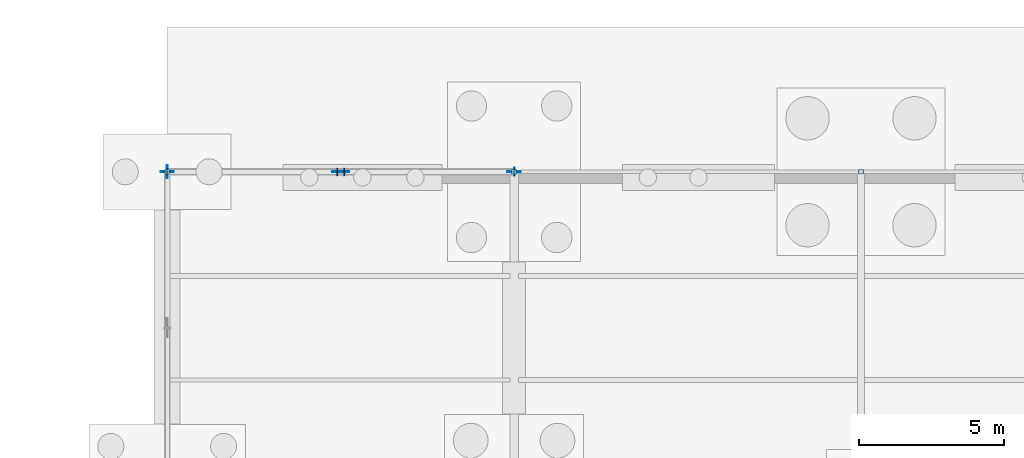
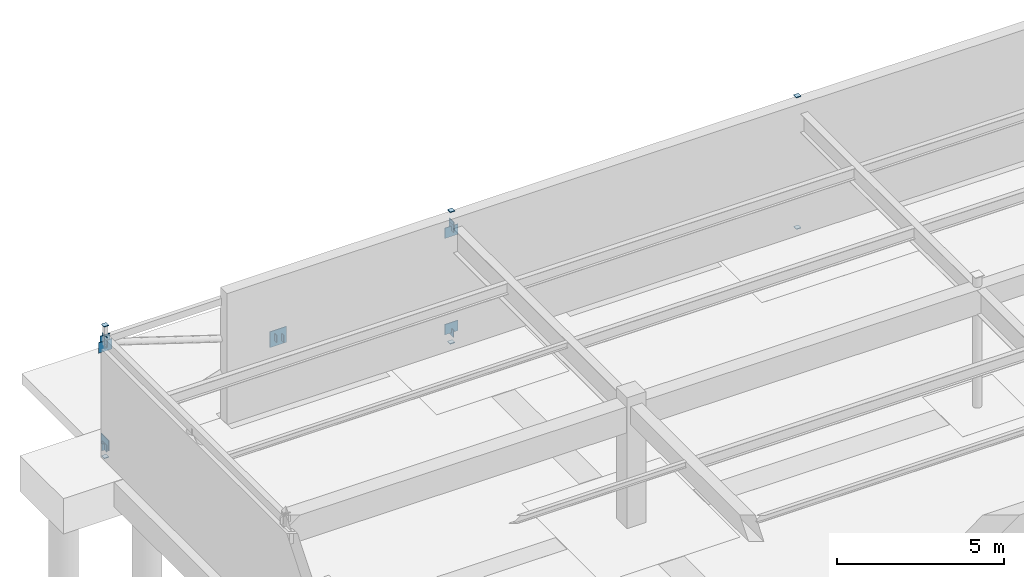
# One storey, part 112 of 136: 21 plates.
"""IFC4 building model written with IfcOpenShell, lengths in metres."""

import ifcopenshell
import ifcopenshell.guid

model = None  # the IFC model being written
_history = None  # IfcOwnerHistory: only IFC2X3 demands one
_inside = {}  # id of a spatial element -> (the spatial element, [elements in it])
_under = {}  # id of a project, library or spatial element -> (it, [spatial elements below it])
_declared = {}  # id of a project -> (the project, [libraries it declares])
_typed = {}  # id of a type object -> (the type object, [elements of that type])
_made_of = {}  # id of a material, layer set ... -> (it, [elements and type objects made of it])


def new_model(schema):
    """Start an empty IFC model of exactly this schema.

    Asked for "IFC4X3", IfcOpenShell would pick the latest addendum, in which some entities
    have other attributes; the version numbers below select the first issue.
    IFC2X3 requires an IfcOwnerHistory on every rooted entity: one is made here for all.
    """
    global model, _history
    if schema == "IFC4X3":
        model = ifcopenshell.file(schema_version=(4, 3, 0, 0))
    else:
        model = ifcopenshell.file(schema=schema)
    _inside.clear()
    _under.clear()
    _declared.clear()
    _typed.clear()
    _made_of.clear()
    _history = None
    if model.schema == "IFC2X3":
        org = make("IfcOrganization", Name="unknown")
        user = make(
            "IfcPersonAndOrganization",
            ThePerson=make("IfcPerson", FamilyName="unknown"),
            TheOrganization=org,
        )
        app = make(
            "IfcApplication",
            ApplicationDeveloper=org,
            Version="unknown",
            ApplicationFullName="unknown",
            ApplicationIdentifier="unknown",
        )
        _history = make(
            "IfcOwnerHistory",
            OwningUser=user,
            OwningApplication=app,
            ChangeAction="ADDED",
            CreationDate=0,
        )
    return model


def make(cls, **values):
    """One entity of the class cls with the attributes given. An attribute that is None is left unset."""
    return model.create_entity(
        cls, **{name: value for name, value in values.items() if value is not None}
    )


def rooted(cls, **values):
    """An entity with a GlobalId (a new one), such as an element, a storey or a relation."""
    return make(cls, GlobalId=ifcopenshell.guid.new(), OwnerHistory=_history, **values)


def si_unit(unit_type, name, prefix=None):
    """IfcSIUnit, for example si_unit("LENGTHUNIT", "METRE", prefix="MILLI")."""
    return make("IfcSIUnit", UnitType=unit_type, Prefix=prefix, Name=name)


def assignment(units):
    """IfcUnitAssignment: the units of a project."""
    return None if units is None else make("IfcUnitAssignment", Units=units)


def point(xyz):
    """IfcCartesianPoint."""
    return None if xyz is None else make("IfcCartesianPoint", Coordinates=xyz)


def direction(xyz):
    """IfcDirection."""
    return None if xyz is None else make("IfcDirection", DirectionRatios=xyz)


def frame(location, z_axis=None, x_axis=None):
    """IfcAxis2Placement3D, a coordinate frame: its origin and axes. An axis left out is left unset."""
    return make(
        "IfcAxis2Placement3D",
        Location=point(location),
        Axis=direction(z_axis),
        RefDirection=direction(x_axis),
    )


def frame_2d(location, x_axis=None):
    """IfcAxis2Placement2D, a coordinate frame in the plane: its origin and x axis."""
    return make(
        "IfcAxis2Placement2D", Location=point(location), RefDirection=direction(x_axis)
    )


def origin():
    """The frame at (0, 0, 0) with its axes left unset."""
    return frame((0.0, 0.0, 0.0))


def origin_2d():
    """The frame at (0, 0) in the plane with its x axis left unset."""
    return frame_2d((0.0, 0.0))


def place(relative_to, where):
    """IfcLocalPlacement: puts the frame where relative to a parent placement (None: the world)."""
    return make(
        "IfcLocalPlacement", PlacementRelTo=relative_to, RelativePlacement=where
    )


def context(
    kind, dimensions, precision=None, world=None, true_north=None, identifier=None
):
    """IfcGeometricRepresentationContext, for example the 3D "Model" context."""
    return make(
        "IfcGeometricRepresentationContext",
        ContextIdentifier=identifier,
        ContextType=kind,
        CoordinateSpaceDimension=dimensions,
        Precision=precision,
        WorldCoordinateSystem=world,
        TrueNorth=true_north,
    )


def subcontext(parent, identifier, kind, view, scale=None):
    """IfcGeometricRepresentationSubContext, for example "Body" below "Model"."""
    return make(
        "IfcGeometricRepresentationSubContext",
        ContextIdentifier=identifier,
        ContextType=kind,
        ParentContext=parent,
        TargetScale=scale,
        TargetView=view,
    )


def project(units=None, contexts=None):
    """IfcProject with its units and contexts."""
    return rooted(
        "IfcProject",
        Name="project",
        RepresentationContexts=contexts,
        UnitsInContext=assignment(units),
    )


def spatial(cls, under=None, at=None, **own):
    """A site, building, storey or space (cls), placed at a placement, below another one or the project."""
    s = rooted(cls, ObjectPlacement=at, **own)
    if under is not None:
        _under.setdefault(under.id(), (under, []))[1].append(s)
    return s


def profile(cls, at=None, kind="AREA", **sizes):
    """A parametric profile (cls). Its sizes go by their IFC names, for example OverallWidth=200.0."""
    return make(cls, ProfileType=kind, Position=at, **sizes)


def rectangle(**sizes):
    """IfcRectangleProfileDef."""
    return profile("IfcRectangleProfileDef", **sizes)


def extrude(swept, where, along, depth):
    """IfcExtrudedAreaSolid: the profile swept, set in the frame where, extruded along a direction by depth."""
    return make(
        "IfcExtrudedAreaSolid",
        SweptArea=swept,
        Position=where,
        ExtrudedDirection=direction(along),
        Depth=depth,
    )


def shape(context_of_items, identifier, shape_type, items):
    """IfcShapeRepresentation: the items that make up one representation, for example the "Body"."""
    return make(
        "IfcShapeRepresentation",
        ContextOfItems=context_of_items,
        RepresentationIdentifier=identifier,
        RepresentationType=shape_type,
        Items=items,
    )


def material(Name=None, Category=None):
    """IfcMaterial."""
    return make("IfcMaterial", Name=Name, Category=Category)


def layer(
    of_material, thickness, ventilated=None, Name=None, Category=None, Priority=None
):
    """IfcMaterialLayer: one layer of a wall or slab, of a material (None: an air gap)."""
    return make(
        "IfcMaterialLayer",
        Material=of_material,
        LayerThickness=thickness,
        IsVentilated=ventilated,
        Name=Name,
        Category=Category,
        Priority=Priority,
    )


def layer_set(layers, Name=None):
    """IfcMaterialLayerSet."""
    return make("IfcMaterialLayerSet", MaterialLayers=layers, LayerSetName=Name)


def made_of(thing, what):
    """Note that an element or type object is made of a material, layer set ...; save() writes the relation."""
    if what is not None:
        _made_of.setdefault(what.id(), (what, []))[1].append(thing)
    return thing


def type_object(cls, material=None, **own):
    """A type object (cls), such as IfcWallType, which elements share."""
    return made_of(rooted(cls, **own), material)


def element(
    cls,
    number,
    at=None,
    inside=None,
    cuts=None,
    type_object=None,
    material=None,
    context=None,
    identifier="Body",
    shape_type=None,
    held_by="IfcProductDefinitionShape",
    body=None,
    shapes=None,
    **own,
):
    """One element of the class cls, such as IfcWall. Its Tag is "e" and its number.

    at: its placement. inside: the storey or other place that contains it. cuts: it is an
    opening in that element (IfcRelVoidsElement). A single representation is given by context,
    identifier, shape_type and body (its items); several are given by shapes. held_by: the class
    of the entity that holds the representations. save() writes the other relations.
    """
    e = rooted(cls, Tag="e%d" % number, ObjectPlacement=at, **own)
    if body is not None:
        shapes = [shape(context, identifier, shape_type, body)]
    if shapes is not None:
        e.Representation = make(held_by, Representations=shapes)
    if inside is not None:
        _inside.setdefault(inside.id(), (inside, []))[1].append(e)
    if cuts is not None:
        rooted(
            "IfcRelVoidsElement", RelatingBuildingElement=cuts, RelatedOpeningElement=e
        )
    if type_object is not None:
        _typed.setdefault(type_object.id(), (type_object, []))[1].append(e)
    return made_of(e, material)


def aggregate(whole, parts):
    """IfcRelAggregates: a whole, such as a stair, and the parts it consists of."""
    return rooted("IfcRelAggregates", RelatingObject=whole, RelatedObjects=parts)


def save(model, path):
    """Write the relations noted so far, then the file.

    IfcRelAggregates (storeys below a building ...), IfcRelContainedInSpatialStructure (elements
    in a storey), IfcRelDefinesByType, IfcRelAssociatesMaterial and IfcRelDeclares: one each for
    every whole, place, type object, material and project.
    """
    for whole, parts in _under.values():
        aggregate(whole, parts)
    for where, things in _inside.values():
        rooted(
            "IfcRelContainedInSpatialStructure",
            RelatedElements=things,
            RelatingStructure=where,
        )
    for kind, things in _typed.values():
        rooted("IfcRelDefinesByType", RelatedObjects=things, RelatingType=kind)
    for what, things in _made_of.values():
        rooted("IfcRelAssociatesMaterial", RelatedObjects=things, RelatingMaterial=what)
    for by, libraries in _declared.values():
        rooted("IfcRelDeclares", RelatingContext=by, RelatedDefinitions=libraries)
    model.write(path)


model = new_model("IFC4")

# Units and contexts
model_context = context("Model", 3, precision=1e-05, world=origin(), true_north=direction((0.0, 1.0)))
body_context = subcontext(model_context, "Body", "Model", "MODEL_VIEW")
ifc_project = project(units=[si_unit("LENGTHUNIT", "METRE"), si_unit("AREAUNIT", "SQUARE_METRE"), si_unit("VOLUMEUNIT", "CUBIC_METRE"), si_unit("PLANEANGLEUNIT", "RADIAN"), si_unit("MASSUNIT", "GRAM", prefix="KILO")], contexts=[model_context])

# Site, building, storey
site_placement = place(None, origin())
site = spatial("IfcSite", under=ifc_project, at=site_placement, CompositionType="ELEMENT")
building_placement = place(site_placement, origin())
building = spatial("IfcBuilding", under=site, at=building_placement, Name="Tarnwether General Hospital", CompositionType="ELEMENT")
storey_placement = place(building_placement, frame((0.0, 0.0, -4.800048828125)))
storey = spatial("IfcBuildingStorey", under=building, at=storey_placement, Name="LG", CompositionType="ELEMENT", Elevation=-4.800048828125)

# Plates
ifc_material_1 = material(Name="Steel Grade 350 (350 MPa)", Category="steel")
ifc_layer_1 = layer(ifc_material_1, 0.02001953125)
ifc_layer_set_1 = layer_set([ifc_layer_1], Name="Steel Grade 350 (350 MPa)")
plate_type_1 = type_object("IfcPlateType", Name="PT-GUS1", PredefinedType="USERDEFINED", material=ifc_layer_set_1)
plate_1_placement = place(storey_placement, frame((6.0, 126.0, 1.985107421875), z_axis=(0.0, 0.0, 1.0), x_axis=(1.0, 0.0, 0.0)))
element("IfcPlate", 1, at=plate_1_placement, inside=storey, type_object=plate_type_1, Name="X-Brace Central Crossing Gusset Plate 032", ObjectType="GUSSET", PredefinedType="USERDEFINED", context=body_context, shape_type="SweptSolid", body=[
    extrude(rectangle(XDim=0.580078125, YDim=0.02001953125, at=origin_2d()), origin(), (0.0, 0.0, 1.0), 0.580078125),
])
ifc_material_2 = material(Name="Steel Grade 350 (350 MPa)", Category="steel")
ifc_layer_2 = layer(ifc_material_2, 0.02490234375)
ifc_layer_set_2 = layer_set([ifc_layer_2], Name="Steel Grade 350 (350 MPa)")
plate_type_2 = type_object("IfcPlateType", Name="PT-GUS2", PredefinedType="USERDEFINED", material=ifc_layer_set_2)
for number, where, z_axis, x_axis, name in (
    (2, (0.0, 126.0, 0.330078125), (0.0, 0.0, 1.0), (0.0, 1.0, 0.0), "Brace Base Gusset Plate 011"),
    (3, (12.0, 126.0, 0.330078125), (0.0, 0.0, 1.0), (1.0, 0.0, 0.0), "X-Brace Corner Gusset Plate 033"),
    (4, (0.0, 126.0, 3.860107421875), (0.0, 0.0, 1.0), (1.0, 0.0, 0.0), "X-Brace Corner Gusset Plate 034"),
    (5, (12.0, 126.0, 3.860107421875), (0.0, 0.0, 1.0), (1.0, 0.0, 0.0), "X-Brace Corner Gusset Plate 035"),
):
    element("IfcPlate", number, at=place(storey_placement, frame(where, z_axis=z_axis, x_axis=x_axis)), inside=storey, type_object=plate_type_2, Name=name, ObjectType="GUSSET", PredefinedType="USERDEFINED", context=body_context, shape_type="SweptSolid", body=[
        extrude(rectangle(XDim=0.4599609375, YDim=0.02490234375, at=origin_2d()), origin(), (0.0, 0.0, 1.0), 0.3798828125),
    ])
for number, where, z_axis, x_axis, name in (
    (6, (0.0, 126.0, -0.02490234375), (0.0, 0.0, 1.0), (1.0, 0.0, 0.0), "Hollow Section Welded End Cap Plate 0031"),
    (7, (0.0, 126.0, 4.800048828125), (0.0, 0.0, 1.0), (1.0, 0.0, 0.0), "Hollow Section Welded End Cap Plate 0032"),
    (8, (12.0, 126.0, -0.02490234375), (0.0, 0.0, 1.0), (1.0, 0.0, 0.0), "Hollow Section Welded End Cap Plate 0039"),
    (9, (12.0, 126.0, 4.800048828125), (0.0, 0.0, 1.0), (1.0, 0.0, 0.0), "Hollow Section Welded End Cap Plate 0040"),
    (10, (24.0, 126.0, -0.02490234375), (0.0, 0.0, 1.0), (1.0, 0.0, 0.0), "Hollow Section Welded End Cap Plate 0073"),
    (11, (24.0, 126.0, 4.800048828125), (0.0, 0.0, 1.0), (1.0, 0.0, 0.0), "Hollow Section Welded End Cap Plate 0074"),
):
    element("IfcPlate", number, at=place(storey_placement, frame(where, z_axis=z_axis, x_axis=x_axis)), inside=storey, type_object=plate_type_2, Name=name, ObjectType="GUSSET", PredefinedType="USERDEFINED", context=body_context, shape_type="SweptSolid", body=[
        extrude(rectangle(XDim=0.1650390625, YDim=0.1650390625, at=origin_2d()), origin(), (0.0, 0.0, 1.0), 0.02490234375),
    ])
plate_2_placement = place(storey_placement, frame((0.0, 126.012451171875, 4.10986328125), z_axis=(0.0, 0.0, 1.0), x_axis=(0.0, 1.0, 0.0)))
element("IfcPlate", 12, at=plate_2_placement, inside=storey, type_object=plate_type_2, Name="Hollow Section Welded End Cap Plate 0814", ObjectType="GUSSET", PredefinedType="USERDEFINED", context=body_context, shape_type="SweptSolid", body=[
    extrude(rectangle(XDim=0.02490234375, YDim=0.340087890625, at=origin_2d()), origin(), (0.0, 0.0, 1.0), 0.340087890625),
])
for number, where, z_axis, x_axis, name in (
    (13, (-0.012451171875, 126.0, 4.159912109375), (0.0, 0.0, 1.0), (1.0, 0.0, 0.0), "Hollow Section Welded End Cap Plate 0815"),
    (14, (12.012451171875, 126.0, 4.159912109375), (0.0, 0.0, 1.0), (1.0, 0.0, 0.0), "Hollow Section Welded End Cap Plate 0816"),
):
    element("IfcPlate", number, at=place(storey_placement, frame(where, z_axis=z_axis, x_axis=x_axis)), inside=storey, type_object=plate_type_2, Name=name, ObjectType="GUSSET", PredefinedType="USERDEFINED", context=body_context, shape_type="SweptSolid", body=[
        extrude(rectangle(XDim=0.02490234375, YDim=0.2900390625, at=origin_2d()), origin(), (0.0, 0.0, 1.0), 0.2900390625),
    ])
plate_3_placement = place(storey_placement, frame((0.0, 126.01025390625, 0.23583984375), z_axis=(0.0, 0.0, 1.0), x_axis=(0.0, -1.0, 0.0)))
element("IfcPlate", 15, at=plate_3_placement, inside=storey, type_object=plate_type_2, Name="Hollow Section Welded End Cap Plate 1189", ObjectType="GUSSET", PredefinedType="USERDEFINED", context=body_context, shape_type="SweptSolid", body=[
    extrude(rectangle(XDim=0.02490234375, YDim=0.23388671875, at=origin_2d()), origin(), (0.0, 0.0, 1.0), 0.23388671875),
])
for number, where, z_axis, x_axis, name in (
    (16, (-0.011962890625, 126.0, 0.2265625), (0.0, 0.0, 1.0), (1.0, 0.0, 0.0), "Hollow Section Welded End Cap Plate 1219"),
    (17, (12.011962890625, 126.0, 4.064453125), (0.0, 0.0, 1.0), (1.0, 0.0, 0.0), "Hollow Section Welded End Cap Plate 1220"),
    (18, (12.011962890625, 126.0, 0.2265625), (0.0, 0.0, 1.0), (-1.0, 0.0, 0.0), "Hollow Section Welded End Cap Plate 1221"),
    (19, (6.12158203125, 126.0, 2.10693359375), (0.0, 0.0, 1.0), (-1.0, 0.0, 0.0), "Hollow Section Welded End Cap Plate 1222"),
    (20, (5.87841796875, 126.0, 2.1845703125), (0.0, 0.0, 1.0), (-1.0, 0.0, 0.0), "Hollow Section Welded End Cap Plate 1223"),
    (21, (-0.011962890625, 126.0, 4.064453125), (0.0, 0.0, 1.0), (-1.0, 0.0, 0.0), "Hollow Section Welded End Cap Plate 1224"),
):
    element("IfcPlate", number, at=place(storey_placement, frame(where, z_axis=z_axis, x_axis=x_axis)), inside=storey, type_object=plate_type_2, Name=name, ObjectType="GUSSET", PredefinedType="USERDEFINED", context=body_context, shape_type="SweptSolid", body=[
        extrude(rectangle(XDim=0.02490234375, YDim=0.259033203125, at=origin_2d()), origin(), (0.0, 0.0, 1.0), 0.259033203125),
    ])

save(model, "model.ifc")
